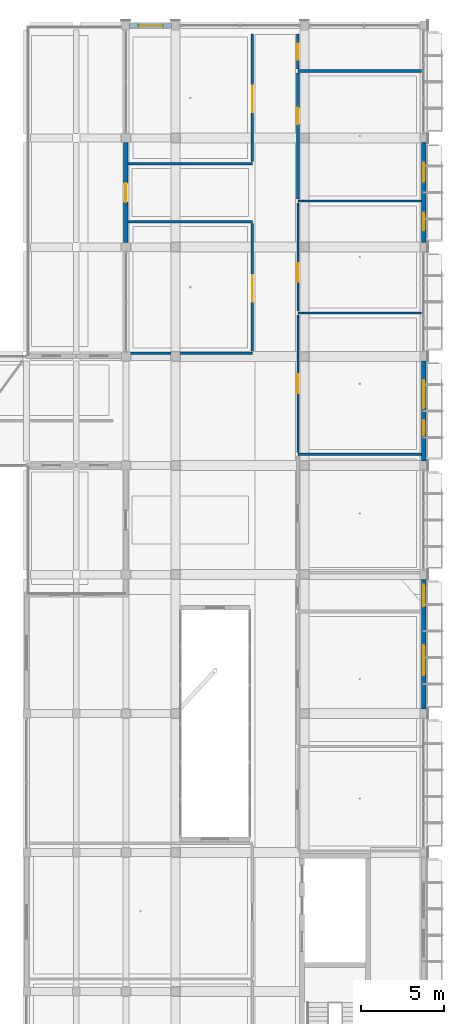
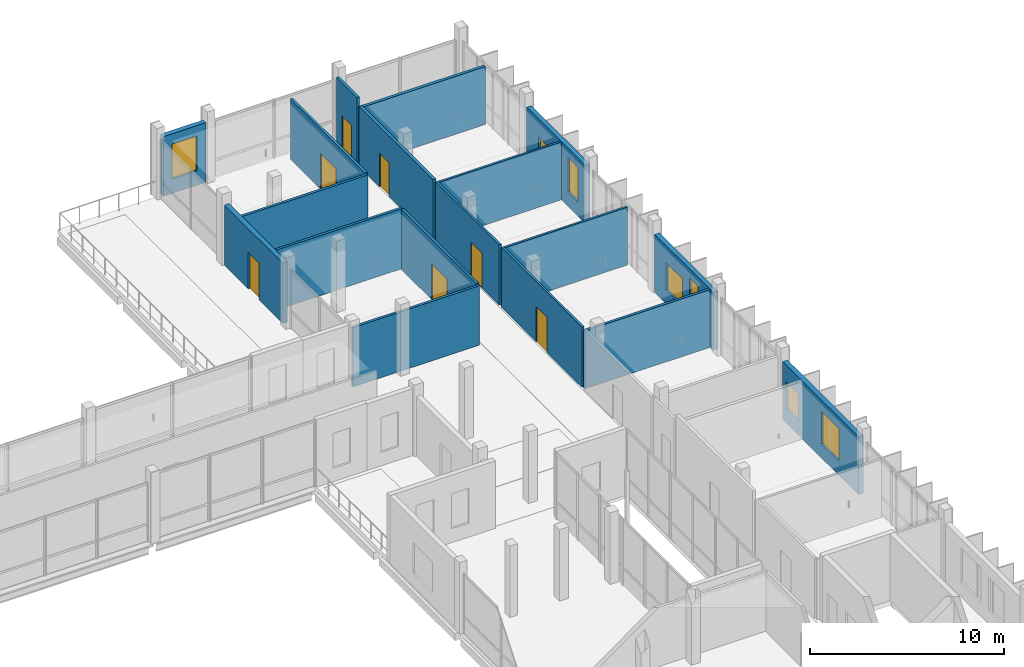
# One storey, part 64 of 95: 18 walls, 7 doors, 7 windows, 14 openings.
"""IFC4 building model written with IfcOpenShell, lengths in metres."""

from ifc_helpers import new_model, si_unit, derived_unit, direction, frame, frame_2d, origin, origin_with_axes, place, context, subcontext, project, spatial, rectangle, extrude, material, layer, layer_set, type_object, element, fill, save


model = new_model("IFC4")

# Units and contexts
model_context = context("Model", 3, precision=1e-05, world=origin(), true_north=direction((0.0, 1.0)))
body_context = subcontext(model_context, "Body", "Model", "MODEL_VIEW")
ifc_project = project(units=[si_unit("LENGTHUNIT", "METRE"), si_unit("AREAUNIT", "SQUARE_METRE"), si_unit("VOLUMEUNIT", "CUBIC_METRE"), si_unit("PLANEANGLEUNIT", "RADIAN"), si_unit("MASSUNIT", "GRAM", prefix="KILO"), derived_unit("THERMALTRANSMITTANCEUNIT", [(si_unit("POWERUNIT", "WATT"), 1), (si_unit("LENGTHUNIT", "METRE"), -2), (si_unit("THERMODYNAMICTEMPERATUREUNIT", "KELVIN"), -1)])], contexts=[model_context])

# Site, building, storey
site_placement = place(None, origin())
site = spatial("IfcSite", under=ifc_project, at=site_placement, CompositionType="ELEMENT")
building_placement = place(site_placement, origin())
building = spatial("IfcBuilding", under=site, at=building_placement, Name="Braskholm Square Health Centre", CompositionType="ELEMENT")
storey_placement = place(building_placement, frame((0.0, 0.0, 4.800048828125)))
storey = spatial("IfcBuildingStorey", under=building, at=storey_placement, Name="L02", CompositionType="ELEMENT", Elevation=4.800048828125)

# Wall, opening, door
ifc_material_1 = material(Name="Fire-rated gypsum board barrier")
ifc_layer_1 = layer(ifc_material_1, 0.175048828125)
ifc_layer_set_1 = layer_set([ifc_layer_1], Name="Fire-rated gypsum board barrier")
wall_type_1 = type_object("IfcWallType", Name="AmbulatoryFirePartition175", PredefinedType="PARTITIONING", material=ifc_layer_set_1)
wall_1_placement = place(storey_placement, frame((156.199951171875, 103.31005859375, 0.0), z_axis=(0.0, 0.0, 1.0), x_axis=(0.0, 1.0, 0.0)))
wall_1 = element("IfcWall", 1, at=wall_1_placement, inside=storey, type_object=wall_type_1, Name="Interior partition PWALL-L02-0362", PredefinedType="PARTITIONING", context=body_context, shape_type="SweptSolid", body=[
    extrude(rectangle(XDim=7.60986328125, YDim=0.175048828125, at=frame_2d((3.804931640625, 0.0))), origin(), (0.0, 0.0, 1.0), 3.794921875),
])
opening_1_placement = place(wall_1_placement, frame((4.537109375, 0.0, 0.0)))
opening_1 = element("IfcOpeningElement", 2, at=opening_1_placement, cuts=wall_1, Name="Opening D-10", PredefinedType="OPENING", context=body_context, shape_type="SweptSolid", body=[
    extrude(rectangle(XDim=0.97998046875, YDim=2.1201171875, at=frame_2d((0.489990234375, 1.06005859375))), frame((0.0, 0.09765625, 0.0), z_axis=(0.0, -1.0, 0.0), x_axis=(1.0, 0.0, 0.0)), (0.0, 0.0, 1.0), 0.195068359375),
])
ifc_material_2 = material(Name="Architectural bronze anodised aluminium", Category="aluminium")
door_type_1 = type_object("IfcDoorType", Name="DoorUtilityStore980x2120", OperationType="NOTDEFINED", PredefinedType="DOOR", material=ifc_material_2)
door_1_placement = place(opening_1_placement, frame((0.97998046875, 0.0, 0.0), z_axis=(0.0, 0.0, 1.0), x_axis=(-1.0, 0.0, 0.0)))
door_1 = element("IfcDoor", 3, at=door_1_placement, inside=storey, type_object=door_type_1, Name="Interior door 0169 L02", OperationType="SINGLE_SWING_RIGHT", OverallHeight=2.1201171875, OverallWidth=0.97998046875, PredefinedType="DOOR", context=body_context, shape_type="SweptSolid", body=[
    extrude(rectangle(XDim=0.97998046875, YDim=2.1201171875, at=frame_2d((0.489990234375, 1.06005859375))), frame((0.0, 0.02490234375, 0.0), z_axis=(0.0, -1.0, 0.0), x_axis=(1.0, 0.0, 0.0)), (0.0, 0.0, 1.0), 0.050048828125),
])
fill(opening_1, door_1)

# Wall
wall_2_placement = place(storey_placement, frame((156.199951171875, 111.0400390625, 0.0), z_axis=(0.0, 0.0, 1.0), x_axis=(1.0, 0.0, 0.0)))
element("IfcWall", 4, at=wall_2_placement, inside=storey, type_object=wall_type_1, Name="Interior partition PWALL-L02-0363", PredefinedType="PARTITIONING", context=body_context, shape_type="SweptSolid", body=[
    extrude(rectangle(XDim=7.4599609375, YDim=0.175048828125, at=frame_2d((3.72998046875, 0.0))), origin(), (0.0, 0.0, 1.0), 3.64501953125),
])

# Wall, opening, door
ifc_material_3 = material(Name="Acoustic gypsum board partition")
ifc_layer_2 = layer(ifc_material_3, 0.125)
ifc_layer_set_2 = layer_set([ifc_layer_2], Name="Acoustic gypsum board partition")
wall_type_2 = type_object("IfcWallType", Name="ClinicalExamPartition125", PredefinedType="PARTITIONING", material=ifc_layer_set_2)
wall_3_placement = place(storey_placement, frame((156.199951171875, 88.0, 0.0), z_axis=(0.0, 0.0, 1.0), x_axis=(0.0, 1.0, 0.0)))
wall_3 = element("IfcWall", 5, at=wall_3_placement, inside=storey, type_object=wall_type_2, Name="Interior partition PWALL-L02-0358", PredefinedType="PARTITIONING", context=body_context, shape_type="SweptSolid", body=[
    extrude(rectangle(XDim=8.2900390625, YDim=0.125, at=frame_2d((4.14501953125, 0.0))), origin(), (0.0, 0.0, 1.0), 3.794921875),
])
opening_2_placement = place(wall_3_placement, frame((3.574951171875, 0.0, 0.0)))
opening_2 = element("IfcOpeningElement", 6, at=opening_2_placement, cuts=wall_3, Name="Opening D-26", PredefinedType="OPENING", context=body_context, shape_type="SweptSolid", body=[
    extrude(rectangle(XDim=1.139892578125, YDim=2.219970703125, at=frame_2d((0.56982421875, 1.10986328125))), frame((0.0, 0.072509765625, 0.0), z_axis=(0.0, -1.0, 0.0), x_axis=(1.0, 0.0, 0.0)), (0.0, 0.0, 1.0), 0.14501953125),
])
door_type_2 = type_object("IfcDoorType", Name="DoorExamWide1140x2220", OperationType="NOTDEFINED", PredefinedType="DOOR", material=ifc_material_2)
door_2_placement = place(opening_2_placement, frame((1.139892578125, 0.0, 0.0), z_axis=(0.0, 0.0, 1.0), x_axis=(-1.0, 0.0, 0.0)))
door_2 = element("IfcDoor", 7, at=door_2_placement, inside=storey, type_object=door_type_2, Name="Interior door 0167 L02", OperationType="SINGLE_SWING_RIGHT", OverallHeight=2.219970703125, OverallWidth=1.139892578125, PredefinedType="DOOR", context=body_context, shape_type="SweptSolid", body=[
    extrude(rectangle(XDim=1.139892578125, YDim=2.219970703125, at=frame_2d((0.56982421875, 1.10986328125))), frame((0.0, 0.02490234375, 0.0), z_axis=(0.0, -1.0, 0.0), x_axis=(1.0, 0.0, 0.0)), (0.0, 0.0, 1.0), 0.050048828125),
])
fill(opening_2, door_2)

# Wall
wall_4_placement = place(storey_placement, frame((156.199951171875, 96.409912109375, 0.0), z_axis=(0.0, 0.0, 1.0), x_axis=(1.0, 0.0, 0.0)))
element("IfcWall", 8, at=wall_4_placement, inside=storey, type_object=wall_type_2, Name="Interior partition PWALL-L02-0359", PredefinedType="PARTITIONING", context=body_context, shape_type="SweptSolid", body=[
    extrude(rectangle(XDim=7.4599609375, YDim=0.125, at=frame_2d((3.72998046875, 0.0))), origin(), (0.0, 0.0, 1.0), 3.64501953125),
])

# Wall, opening, door
wall_5_placement = place(storey_placement, frame((156.199951171875, 96.530029296875, 0.0), z_axis=(0.0, 0.0, 1.0), x_axis=(0.0, 1.0, 0.0)))
wall_5 = element("IfcWall", 9, at=wall_5_placement, inside=storey, type_object=wall_type_2, Name="Interior partition PWALL-L02-0360", PredefinedType="PARTITIONING", context=body_context, shape_type="SweptSolid", body=[
    extrude(rectangle(XDim=6.5400390625, YDim=0.125, at=frame_2d((3.27001953125, 0.0))), origin(), (0.0, 0.0, 1.0), 3.794921875),
])
opening_3_placement = place(wall_5_placement, frame((1.791015625, 0.0, 0.0)))
opening_3 = element("IfcOpeningElement", 10, at=opening_3_placement, cuts=wall_5, Name="Opening D-03", PredefinedType="OPENING", context=body_context, shape_type="SweptSolid", body=[
    extrude(rectangle(XDim=1.1201171875, YDim=2.199951171875, at=frame_2d((0.56005859375, 1.10009765625))), frame((0.0, 0.072509765625, 0.0), z_axis=(0.0, -1.0, 0.0), x_axis=(1.0, 0.0, 0.0)), (0.0, 0.0, 1.0), 0.14501953125),
])
door_type_3 = type_object("IfcDoorType", Name="DoorProcedure1120x2200", OperationType="NOTDEFINED", PredefinedType="DOOR", material=ifc_material_2)
door_3_placement = place(opening_3_placement, frame((1.1201171875, 0.0, 0.0), z_axis=(0.0, 0.0, 1.0), x_axis=(-1.0, 0.0, 0.0)))
door_3 = element("IfcDoor", 11, at=door_3_placement, inside=storey, type_object=door_type_3, Name="Interior door 0168 L02", OperationType="SINGLE_SWING_LEFT", OverallHeight=2.199951171875, OverallWidth=1.1201171875, PredefinedType="DOOR", context=body_context, shape_type="SweptSolid", body=[
    extrude(rectangle(XDim=1.1201171875, YDim=2.199951171875, at=frame_2d((0.56005859375, 1.10009765625))), frame((0.0, 0.02490234375, 0.0), z_axis=(0.0, -1.0, 0.0), x_axis=(1.0, 0.0, 0.0)), (0.0, 0.0, 1.0), 0.050048828125),
])
fill(opening_3, door_3)

# Walls
wall_6_placement = place(storey_placement, frame((156.199951171875, 103.18994140625, 0.0), z_axis=(0.0, 0.0, 1.0), x_axis=(1.0, 0.0, 0.0)))
element("IfcWall", 12, at=wall_6_placement, inside=storey, type_object=wall_type_2, Name="Interior partition PWALL-L02-0361", PredefinedType="PARTITIONING", context=body_context, shape_type="SweptSolid", body=[
    extrude(rectangle(XDim=7.4599609375, YDim=0.125, at=frame_2d((3.72998046875, 0.0))), origin(), (0.0, 0.0, 1.0), 3.64501953125),
])
ifc_layer_3 = layer(ifc_material_3, 0.14990234375)
ifc_layer_set_3 = layer_set([ifc_layer_3], Name="Acoustic gypsum board partition")
wall_type_3 = type_object("IfcWallType", Name="CorridorAcousticPartition150", PredefinedType="PARTITIONING", material=ifc_layer_set_3)
wall_7_placement = place(storey_placement, frame((156.199951171875, 87.8798828125, 0.0), z_axis=(0.0, 0.0, 1.0), x_axis=(1.0, 0.0, 0.0)))
element("IfcWall", 13, at=wall_7_placement, inside=storey, type_object=wall_type_3, Name="Interior partition PWALL-L02-0357", PredefinedType="PARTITIONING", context=body_context, shape_type="SweptSolid", body=[
    extrude(rectangle(XDim=7.4599609375, YDim=0.14990234375, at=frame_2d((3.72998046875, 0.0))), origin(), (0.0, 0.0, 1.0), 3.64501953125),
])

# Wall, opening, door
wall_8_placement = place(storey_placement, frame((156.199951171875, 111.159912109375, 0.0), z_axis=(0.0, 0.0, 1.0), x_axis=(0.0, 1.0, 0.0)))
wall_8 = element("IfcWall", 14, at=wall_8_placement, inside=storey, type_object=wall_type_3, Name="Interior partition PWALL-L02-0364", PredefinedType="PARTITIONING", context=body_context, shape_type="SweptSolid", body=[
    extrude(rectangle(XDim=2.1201171875, YDim=0.14990234375, at=frame_2d((1.06005859375, 0.0))), origin(), (0.0, 0.0, 1.0), 4.195068359375),
])
opening_4_placement = place(wall_8_placement, frame((0.580078125, 0.0, 0.0)))
opening_4 = element("IfcOpeningElement", 15, at=opening_4_placement, cuts=wall_8, Name="Opening D-05", PredefinedType="OPENING", context=body_context, shape_type="SweptSolid", body=[
    extrude(rectangle(XDim=0.9599609375, YDim=2.10009765625, at=frame_2d((0.47998046875, 1.050048828125))), frame((0.0, 0.0849609375, 0.0), z_axis=(0.0, -1.0, 0.0), x_axis=(1.0, 0.0, 0.0)), (0.0, 0.0, 1.0), 0.169921875),
])
door_type_4 = type_object("IfcDoorType", Name="DoorAccessibleWC960x2100", OperationType="NOTDEFINED", PredefinedType="DOOR", material=ifc_material_2)
door_4_placement = place(opening_4_placement, frame((0.9599609375, 0.0, 0.0), z_axis=(0.0, 0.0, 1.0), x_axis=(-1.0, 0.0, 0.0)))
door_4 = element("IfcDoor", 16, at=door_4_placement, inside=storey, type_object=door_type_4, Name="Interior door 0170 L02", OperationType="SINGLE_SWING_LEFT", OverallHeight=2.10009765625, OverallWidth=0.9599609375, PredefinedType="DOOR", context=body_context, shape_type="SweptSolid", body=[
    extrude(rectangle(XDim=0.9599609375, YDim=2.10009765625, at=frame_2d((0.47998046875, 1.050048828125))), frame((0.0, 0.02490234375, 0.0), z_axis=(0.0, -1.0, 0.0), x_axis=(1.0, 0.0, 0.0)), (0.0, 0.0, 1.0), 0.050048828125),
])
fill(opening_4, door_4)

wall_9_placement = place(storey_placement, frame((153.449951171875, 94.1201171875, 0.0), z_axis=(0.0, 0.0, 1.0), x_axis=(0.0, 1.0, 0.0)))
wall_9 = element("IfcWall", 17, at=wall_9_placement, inside=storey, type_object=wall_type_3, Name="Interior partition PWALL-L02-0377", PredefinedType="PARTITIONING", context=body_context, shape_type="SweptSolid", body=[
    extrude(rectangle(XDim=7.7099609375, YDim=0.14990234375, at=frame_2d((3.85498046875, 0.0))), origin(), (0.0, 0.0, 1.0), 3.794921875),
])
opening_5_placement = place(wall_9_placement, frame((2.97900390625, 0.0, 0.0)))
opening_5 = element("IfcOpeningElement", 18, at=opening_5_placement, cuts=wall_9, Name="Opening D-11", PredefinedType="OPENING", context=body_context, shape_type="SweptSolid", body=[
    extrude(rectangle(XDim=1.60009765625, YDim=2.25, at=frame_2d((0.800048828125, 1.125))), frame((0.0, 0.0849609375, 0.0), z_axis=(0.0, -1.0, 0.0), x_axis=(1.0, 0.0, 0.0)), (0.0, 0.0, 1.0), 0.169921875),
])
door_type_5 = type_object("IfcDoorType", Name="DoorClassroomDouble1600x2250", OperationType="DOUBLE_DOOR_SINGLE_SWING", PredefinedType="DOOR", material=ifc_material_2)
door_5_placement = place(opening_5_placement, origin_with_axes())
door_5 = element("IfcDoor", 19, at=door_5_placement, inside=storey, type_object=door_type_5, Name="Interior door 0177 L02", OperationType="DOUBLE_DOOR_SINGLE_SWING", OverallHeight=2.25, OverallWidth=1.60009765625, PredefinedType="DOOR", context=body_context, shape_type="SweptSolid", body=[
    extrude(rectangle(XDim=1.60009765625, YDim=2.25, at=frame_2d((0.800048828125, 1.125))), frame((0.0, 0.02490234375, 0.0), z_axis=(0.0, -1.0, 0.0), x_axis=(1.0, 0.0, 0.0)), (0.0, 0.0, 1.0), 0.050048828125),
])
fill(opening_5, door_5)

# Walls
wall_10_placement = place(storey_placement, frame((145.93994140625, 94.0, 0.0), z_axis=(0.0, 0.0, 1.0), x_axis=(1.0, 0.0, 0.0)))
element("IfcWall", 20, at=wall_10_placement, inside=storey, type_object=wall_type_3, Name="Interior partition PWALL-L02-0378", PredefinedType="PARTITIONING", context=body_context, shape_type="SweptSolid", body=[
    extrude(rectangle(XDim=7.510009765625, YDim=0.14990234375, at=frame_2d((3.7548828125, 0.0))), origin(), (0.0, 0.0, 1.0), 3.73486328125),
])
wall_11_placement = place(storey_placement, frame((145.93994140625, 101.949951171875, 0.0), z_axis=(0.0, 0.0, 1.0), x_axis=(1.0, 0.0, 0.0)))
element("IfcWall", 21, at=wall_11_placement, inside=storey, type_object=wall_type_3, Name="Interior partition PWALL-L02-0379", PredefinedType="PARTITIONING", context=body_context, shape_type="SweptSolid", body=[
    extrude(rectangle(XDim=7.510009765625, YDim=0.14990234375, at=frame_2d((3.7548828125, 0.0))), origin(), (0.0, 0.0, 1.0), 3.784912109375),
])

# Wall, opening, door
wall_12_placement = place(storey_placement, frame((153.449951171875, 105.570068359375, 0.0), z_axis=(0.0, 0.0, 1.0), x_axis=(0.0, 1.0, 0.0)))
wall_12 = element("IfcWall", 22, at=wall_12_placement, inside=storey, type_object=wall_type_3, Name="Interior partition PWALL-L02-0380", PredefinedType="PARTITIONING", context=body_context, shape_type="SweptSolid", body=[
    extrude(rectangle(XDim=7.7099609375, YDim=0.14990234375, at=frame_2d((3.85498046875, 0.0))), origin(), (0.0, 0.0, 1.0), 3.794921875),
])
opening_6_placement = place(wall_12_placement, frame((2.97900390625, 0.0, 0.0)))
opening_6 = element("IfcOpeningElement", 23, at=opening_6_placement, cuts=wall_12, Name="Opening D-11", PredefinedType="OPENING", context=body_context, shape_type="SweptSolid", body=[
    extrude(rectangle(XDim=1.60009765625, YDim=2.25, at=frame_2d((0.800048828125, 1.125))), frame((0.0, 0.0849609375, 0.0), z_axis=(0.0, -1.0, 0.0), x_axis=(1.0, 0.0, 0.0)), (0.0, 0.0, 1.0), 0.169921875),
])
door_6_placement = place(opening_6_placement, origin_with_axes())
door_6 = element("IfcDoor", 24, at=door_6_placement, inside=storey, type_object=door_type_5, Name="Interior door 0178 L02", OperationType="DOUBLE_DOOR_SINGLE_SWING", OverallHeight=2.25, OverallWidth=1.60009765625, PredefinedType="DOOR", context=body_context, shape_type="SweptSolid", body=[
    extrude(rectangle(XDim=1.60009765625, YDim=2.25, at=frame_2d((0.800048828125, 1.125))), frame((0.0, 0.02490234375, 0.0), z_axis=(0.0, -1.0, 0.0), x_axis=(1.0, 0.0, 0.0)), (0.0, 0.0, 1.0), 0.050048828125),
])
fill(opening_6, door_6)

# Wall
wall_13_placement = place(storey_placement, frame((145.93994140625, 105.449951171875, 0.0), z_axis=(0.0, 0.0, 1.0), x_axis=(1.0, 0.0, 0.0)))
element("IfcWall", 25, at=wall_13_placement, inside=storey, type_object=wall_type_3, Name="Interior partition PWALL-L02-0381", PredefinedType="PARTITIONING", context=body_context, shape_type="SweptSolid", body=[
    extrude(rectangle(XDim=7.510009765625, YDim=0.14990234375, at=frame_2d((3.7548828125, 0.0))), origin(), (0.0, 0.0, 1.0), 3.784912109375),
])

# Wall, openings, windows
ifc_material_4 = material(Name="Precast concrete C40/50 architectural white", Category="concrete")
ifc_layer_4 = layer(ifc_material_4, 0.280029296875)
ifc_layer_set_4 = layer_set([ifc_layer_4], Name="Precast concrete C40/50 architectural white")
wall_type_4 = type_object("IfcWallType", Name="ExteriorPrecastSpandrelWall280", PredefinedType="SOLIDWALL", material=ifc_layer_set_4)
wall_14_placement = place(storey_placement, frame((163.800048828125, 72.48193359375, 0.0), z_axis=(0.0, 0.0, 1.0), x_axis=(0.0, 1.0, 0.0)))
wall_14 = element("IfcWall", 26, at=wall_14_placement, inside=storey, type_object=wall_type_4, Name="Exterior wall EWALL-L02-0067", PredefinedType="SOLIDWALL", context=body_context, shape_type="SweptSolid", body=[
    extrude(rectangle(XDim=7.836181640625, YDim=0.280029296875, at=frame_2d((3.91796875, 0.0))), origin(), (0.0, 0.0, 1.0), 3.64990234375),
])
opening_7_placement = place(wall_14_placement, frame((2.050048828125, 0.0, 0.8798828125)))
opening_7 = element("IfcOpeningElement", 27, at=opening_7_placement, cuts=wall_14, Name="Opening WN-16", PredefinedType="OPENING", context=body_context, shape_type="SweptSolid", body=[
    extrude(rectangle(XDim=1.800048828125, YDim=2.050048828125, at=frame_2d((0.89990234375, 1.02490234375))), frame((0.0, 0.14990234375, 0.0), z_axis=(0.0, -1.0, 0.0), x_axis=(1.0, 0.0, 0.0)), (0.0, 0.0, 1.0), 0.300048828125),
])
opening_8_placement = place(wall_14_placement, frame((6.2060546875, 0.0, 0.8798828125)))
opening_8 = element("IfcOpeningElement", 28, at=opening_8_placement, cuts=wall_14, Name="Opening WN-17", PredefinedType="OPENING", context=body_context, shape_type="SweptSolid", body=[
    extrude(rectangle(XDim=1.300048828125, YDim=1.699951171875, at=frame_2d((0.64990234375, 0.85009765625))), frame((0.0, 0.14990234375, 0.0), z_axis=(0.0, -1.0, 0.0), x_axis=(1.0, 0.0, 0.0)), (0.0, 0.0, 1.0), 0.300048828125),
])
ifc_material_5 = material(Name="Low-E triple insulating glass (VLT 0.64)", Category="glass")
window_type_1 = type_object("IfcWindowType", Name="WinClinicalTall1800x2050", PartitioningType="SINGLE_PANEL", PredefinedType="WINDOW", material=ifc_material_5)
window_1_placement = place(opening_7_placement, origin_with_axes())
window_1 = element("IfcWindow", 29, at=window_1_placement, inside=storey, type_object=window_type_1, Name="Exterior window 0115 L02", OverallHeight=2.050048828125, OverallWidth=1.800048828125, PartitioningType="SINGLE_PANEL", PredefinedType="WINDOW", context=body_context, shape_type="SweptSolid", body=[
    extrude(rectangle(XDim=1.800048828125, YDim=2.050048828125, at=frame_2d((0.89990234375, 1.02490234375))), frame((0.0, 0.030029296875, 0.0), z_axis=(0.0, -1.0, 0.0), x_axis=(1.0, 0.0, 0.0)), (0.0, 0.0, 1.0), 0.06005859375),
])
fill(opening_7, window_1)
window_type_2 = type_object("IfcWindowType", Name="WinDentalDaylight1300x1700", PartitioningType="SINGLE_PANEL", PredefinedType="WINDOW", material=ifc_material_5)
window_2_placement = place(opening_8_placement, origin_with_axes())
window_2 = element("IfcWindow", 30, at=window_2_placement, inside=storey, type_object=window_type_2, Name="Exterior window 0116 L02", OverallHeight=1.699951171875, OverallWidth=1.300048828125, PartitioningType="SINGLE_PANEL", PredefinedType="WINDOW", context=body_context, shape_type="SweptSolid", body=[
    extrude(rectangle(XDim=1.300048828125, YDim=1.699951171875, at=frame_2d((0.64990234375, 0.85009765625))), frame((0.0, 0.030029296875, 0.0), z_axis=(0.0, -1.0, 0.0), x_axis=(1.0, 0.0, 0.0)), (0.0, 0.0, 1.0), 0.06005859375),
])
fill(opening_8, window_2)

wall_15_placement = place(storey_placement, frame((163.800048828125, 87.48193359375, 0.0), z_axis=(0.0, 0.0, 1.0), x_axis=(0.0, 1.0, 0.0)))
wall_15 = element("IfcWall", 31, at=wall_15_placement, inside=storey, type_object=wall_type_4, Name="Exterior wall EWALL-L02-0068", PredefinedType="SOLIDWALL", context=body_context, shape_type="SweptSolid", body=[
    extrude(rectangle(XDim=6.0361328125, YDim=0.280029296875, at=frame_2d((3.01806640625, 0.0))), origin(), (0.0, 0.0, 1.0), 3.64990234375),
])
opening_9_placement = place(wall_15_placement, frame((1.56201171875, 0.0, 0.8798828125)))
opening_9 = element("IfcOpeningElement", 32, at=opening_9_placement, cuts=wall_15, Name="Opening WN-01", PredefinedType="OPENING", context=body_context, shape_type="SweptSolid", body=[
    extrude(rectangle(XDim=0.89990234375, YDim=2.199951171875, at=frame_2d((0.449951171875, 1.10009765625))), frame((0.0, 0.14990234375, 0.0), z_axis=(0.0, -1.0, 0.0), x_axis=(1.0, 0.0, 0.0)), (0.0, 0.0, 1.0), 0.300048828125),
])
opening_10_placement = place(wall_15_placement, frame((3.174072265625, 0.0, 0.8798828125)))
opening_10 = element("IfcOpeningElement", 33, at=opening_10_placement, cuts=wall_15, Name="Opening WN-18", PredefinedType="OPENING", context=body_context, shape_type="SweptSolid", body=[
    extrude(rectangle(XDim=1.699951171875, YDim=1.699951171875, at=frame_2d((0.85009765625, 0.85009765625))), frame((0.0, 0.14990234375, 0.0), z_axis=(0.0, -1.0, 0.0), x_axis=(1.0, 0.0, 0.0)), (0.0, 0.0, 1.0), 0.300048828125),
])
window_type_3 = type_object("IfcWindowType", Name="WinArtDecoLancet900x2200", PartitioningType="SINGLE_PANEL", PredefinedType="WINDOW", material=ifc_material_5)
window_3_placement = place(opening_9_placement, origin_with_axes())
window_3 = element("IfcWindow", 34, at=window_3_placement, inside=storey, type_object=window_type_3, Name="Exterior window 0117 L02", OverallHeight=2.199951171875, OverallWidth=0.89990234375, PartitioningType="SINGLE_PANEL", PredefinedType="WINDOW", context=body_context, shape_type="SweptSolid", body=[
    extrude(rectangle(XDim=0.89990234375, YDim=2.199951171875, at=frame_2d((0.449951171875, 1.10009765625))), frame((0.0, 0.030029296875, 0.0), z_axis=(0.0, -1.0, 0.0), x_axis=(1.0, 0.0, 0.0)), (0.0, 0.0, 1.0), 0.06005859375),
])
fill(opening_9, window_3)
window_type_4 = type_object("IfcWindowType", Name="WinDentalDaylight1700x1700", PartitioningType="SINGLE_PANEL", PredefinedType="WINDOW", material=ifc_material_5)
window_4_placement = place(opening_10_placement, origin_with_axes())
window_4 = element("IfcWindow", 35, at=window_4_placement, inside=storey, type_object=window_type_4, Name="Exterior window 0118 L02", OverallHeight=1.699951171875, OverallWidth=1.699951171875, PartitioningType="SINGLE_PANEL", PredefinedType="WINDOW", context=body_context, shape_type="SweptSolid", body=[
    extrude(rectangle(XDim=1.699951171875, YDim=1.699951171875, at=frame_2d((0.85009765625, 0.85009765625))), frame((0.0, 0.030029296875, 0.0), z_axis=(0.0, -1.0, 0.0), x_axis=(1.0, 0.0, 0.0)), (0.0, 0.0, 1.0), 0.06005859375),
])
fill(opening_10, window_4)

wall_16_placement = place(storey_placement, frame((163.800048828125, 100.681884765625, 0.0), z_axis=(0.0, 0.0, 1.0), x_axis=(0.0, 1.0, 0.0)))
wall_16 = element("IfcWall", 36, at=wall_16_placement, inside=storey, type_object=wall_type_4, Name="Exterior wall EWALL-L02-0069", PredefinedType="SOLIDWALL", context=body_context, shape_type="SweptSolid", body=[
    extrude(rectangle(XDim=6.0361328125, YDim=0.280029296875, at=frame_2d((3.01806640625, 0.0))), origin(), (0.0, 0.0, 1.0), 3.64990234375),
])
opening_11_placement = place(wall_16_placement, frame((0.7470703125, 0.0, 0.8798828125)))
opening_11 = element("IfcOpeningElement", 37, at=opening_11_placement, cuts=wall_16, Name="Opening WN-02", PredefinedType="OPENING", context=body_context, shape_type="SweptSolid", body=[
    extrude(rectangle(XDim=1.050048828125, YDim=2.199951171875, at=frame_2d((0.52490234375, 1.10009765625))), frame((0.0, 0.14990234375, 0.0), z_axis=(0.0, -1.0, 0.0), x_axis=(1.0, 0.0, 0.0)), (0.0, 0.0, 1.0), 0.300048828125),
])
opening_12_placement = place(wall_16_placement, frame((3.677978515625, 0.0, 0.8798828125)))
opening_12 = element("IfcOpeningElement", 38, at=opening_12_placement, cuts=wall_16, Name="Opening WN-19", PredefinedType="OPENING", context=body_context, shape_type="SweptSolid", body=[
    extrude(rectangle(XDim=1.14990234375, YDim=1.64990234375, at=frame_2d((0.574951171875, 0.824951171875))), frame((0.0, 0.14990234375, 0.0), z_axis=(0.0, -1.0, 0.0), x_axis=(1.0, 0.0, 0.0)), (0.0, 0.0, 1.0), 0.300048828125),
])
window_type_5 = type_object("IfcWindowType", Name="WinArtDecoLancet1050x2200", PartitioningType="SINGLE_PANEL", PredefinedType="WINDOW", material=ifc_material_5)
window_5_placement = place(opening_11_placement, origin_with_axes())
window_5 = element("IfcWindow", 39, at=window_5_placement, inside=storey, type_object=window_type_5, Name="Exterior window 0119 L02", OverallHeight=2.199951171875, OverallWidth=1.050048828125, PartitioningType="SINGLE_PANEL", PredefinedType="WINDOW", context=body_context, shape_type="SweptSolid", body=[
    extrude(rectangle(XDim=1.050048828125, YDim=2.199951171875, at=frame_2d((0.52490234375, 1.10009765625))), frame((0.0, 0.030029296875, 0.0), z_axis=(0.0, -1.0, 0.0), x_axis=(1.0, 0.0, 0.0)), (0.0, 0.0, 1.0), 0.06005859375),
])
fill(opening_11, window_5)
window_type_6 = type_object("IfcWindowType", Name="WinBehavioralCalm1150x1650", PartitioningType="SINGLE_PANEL", PredefinedType="WINDOW", material=ifc_material_5)
window_6_placement = place(opening_12_placement, origin_with_axes())
window_6 = element("IfcWindow", 40, at=window_6_placement, inside=storey, type_object=window_type_6, Name="Exterior window 0120 L02", OverallHeight=1.64990234375, OverallWidth=1.14990234375, PartitioningType="SINGLE_PANEL", PredefinedType="WINDOW", context=body_context, shape_type="SweptSolid", body=[
    extrude(rectangle(XDim=1.14990234375, YDim=1.64990234375, at=frame_2d((0.574951171875, 0.824951171875))), frame((0.0, 0.030029296875, 0.0), z_axis=(0.0, -1.0, 0.0), x_axis=(1.0, 0.0, 0.0)), (0.0, 0.0, 1.0), 0.06005859375),
])
fill(opening_12, window_6)

# Wall, opening, door
wall_17_placement = place(storey_placement, frame((145.800048828125, 106.722900390625, 0.0), z_axis=(0.0, 0.0, 1.0), x_axis=(0.0, -1.0, 0.0)))
wall_17 = element("IfcWall", 41, at=wall_17_placement, inside=storey, type_object=wall_type_4, Name="Exterior wall EWALL-L02-0181", PredefinedType="SOLIDWALL", context=body_context, shape_type="SweptSolid", body=[
    extrude(rectangle(XDim=6.0458984375, YDim=0.280029296875, at=frame_2d((3.02294921875, 0.0))), origin(), (0.0, 0.0, 1.0), 3.7900390625),
])
opening_13_placement = place(wall_17_placement, frame((2.452880859375, 0.0, 0.0)))
opening_13 = element("IfcOpeningElement", 42, at=opening_13_placement, cuts=wall_17, Name="Opening D-T1", PredefinedType="OPENING", context=body_context, shape_type="SweptSolid", body=[
    extrude(rectangle(XDim=1.139892578125, YDim=2.300048828125, at=frame_2d((0.56982421875, 1.14990234375))), frame((0.0, 0.14990234375, 0.0), z_axis=(0.0, -1.0, 0.0), x_axis=(1.0, 0.0, 0.0)), (0.0, 0.0, 1.0), 0.300048828125),
])
door_type_6 = type_object("IfcDoorType", Name="DoorPlantedTerrace1140x2300", OperationType="NOTDEFINED", PredefinedType="DOOR", material=ifc_material_5)
door_7_placement = place(opening_13_placement, frame((1.139892578125, 0.0, 0.0), z_axis=(0.0, 0.0, 1.0), x_axis=(-1.0, 0.0, 0.0)))
door_7 = element("IfcDoor", 43, at=door_7_placement, inside=storey, type_object=door_type_6, Name="Exterior door 0026 L02", OperationType="SINGLE_SWING_RIGHT", OverallHeight=2.300048828125, OverallWidth=1.139892578125, PredefinedType="DOOR", context=body_context, shape_type="SweptSolid", body=[
    extrude(rectangle(XDim=1.139892578125, YDim=2.300048828125, at=frame_2d((0.56982421875, 1.14990234375))), frame((0.0, 0.02490234375, 0.0), z_axis=(0.0, -1.0, 0.0), x_axis=(1.0, 0.0, 0.0)), (0.0, 0.0, 1.0), 0.050048828125),
])
fill(opening_13, door_7)

# Wall, opening, window
wall_18_placement = place(storey_placement, frame((148.568115234375, 113.800048828125, 0.0), z_axis=(0.0, 0.0, 1.0), x_axis=(-1.0, 0.0, 0.0)))
wall_18 = element("IfcWall", 44, at=wall_18_placement, inside=storey, type_object=wall_type_4, Name="Exterior wall EWALL-L02-0248", PredefinedType="SOLIDWALL", context=body_context, shape_type="SweptSolid", body=[
    extrude(rectangle(XDim=2.5361328125, YDim=0.280029296875, at=frame_2d((1.26806640625, 0.0))), origin(), (0.0, 0.0, 1.0), 3.75),
])
opening_14_placement = place(wall_18_placement, frame((0.51806640625, 0.0, 0.89990234375)))
opening_14 = element("IfcOpeningElement", 45, at=opening_14_placement, cuts=wall_18, Name="Opening WN-03", PredefinedType="OPENING", context=body_context, shape_type="SweptSolid", body=[
    extrude(rectangle(XDim=1.5, YDim=2.199951171875, at=frame_2d((0.75, 1.10009765625))), frame((0.0, 0.14990234375, 0.0), z_axis=(0.0, -1.0, 0.0), x_axis=(1.0, 0.0, 0.0)), (0.0, 0.0, 1.0), 0.300048828125),
])
window_type_7 = type_object("IfcWindowType", Name="WinArtDecoTwin1500x2200", PartitioningType="SINGLE_PANEL", PredefinedType="WINDOW", material=ifc_material_5)
window_7_placement = place(opening_14_placement, origin_with_axes())
window_7 = element("IfcWindow", 46, at=window_7_placement, inside=storey, type_object=window_type_7, Name="Exterior window 0298 L02", OverallHeight=2.199951171875, OverallWidth=1.5, PartitioningType="SINGLE_PANEL", PredefinedType="WINDOW", context=body_context, shape_type="SweptSolid", body=[
    extrude(rectangle(XDim=1.5, YDim=2.199951171875, at=frame_2d((0.75, 1.10009765625))), frame((0.0, 0.030029296875, 0.0), z_axis=(0.0, -1.0, 0.0), x_axis=(1.0, 0.0, 0.0)), (0.0, 0.0, 1.0), 0.06005859375),
])
fill(opening_14, window_7)

save(model, "model.ifc")
